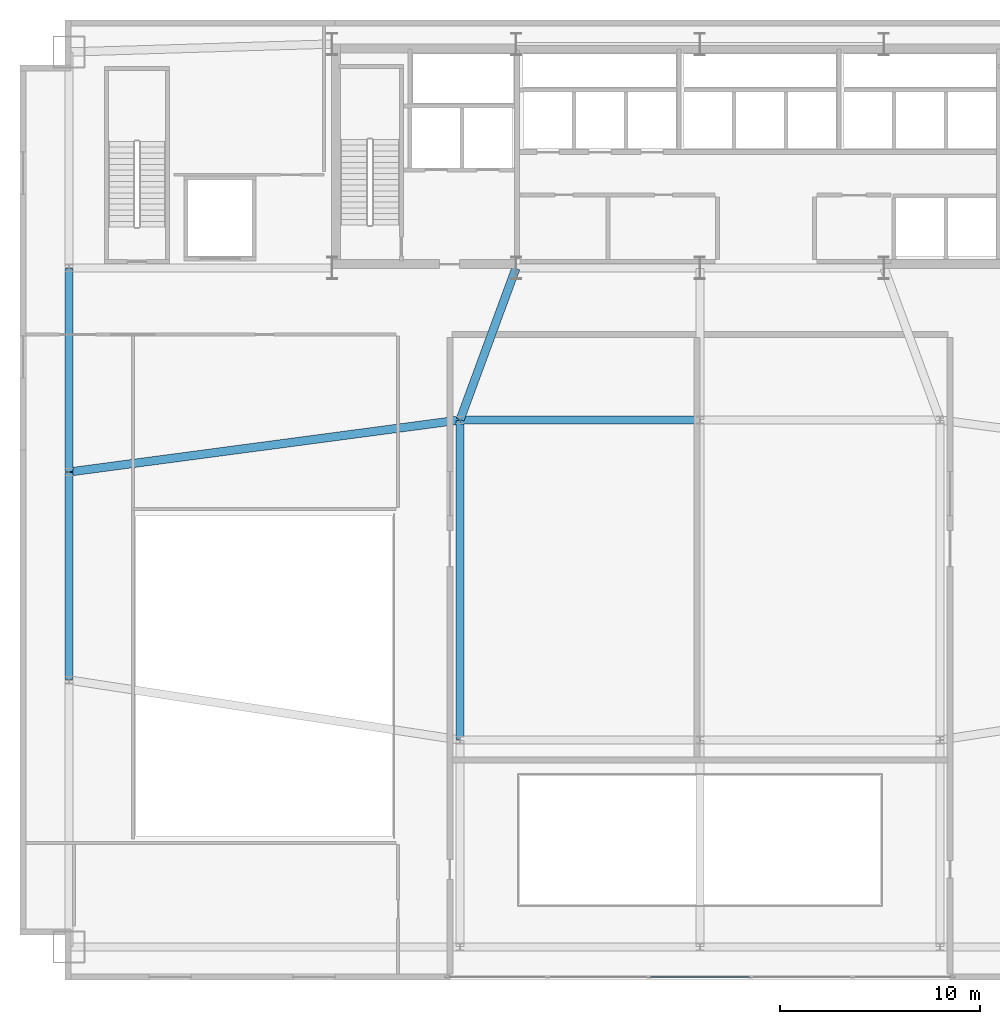
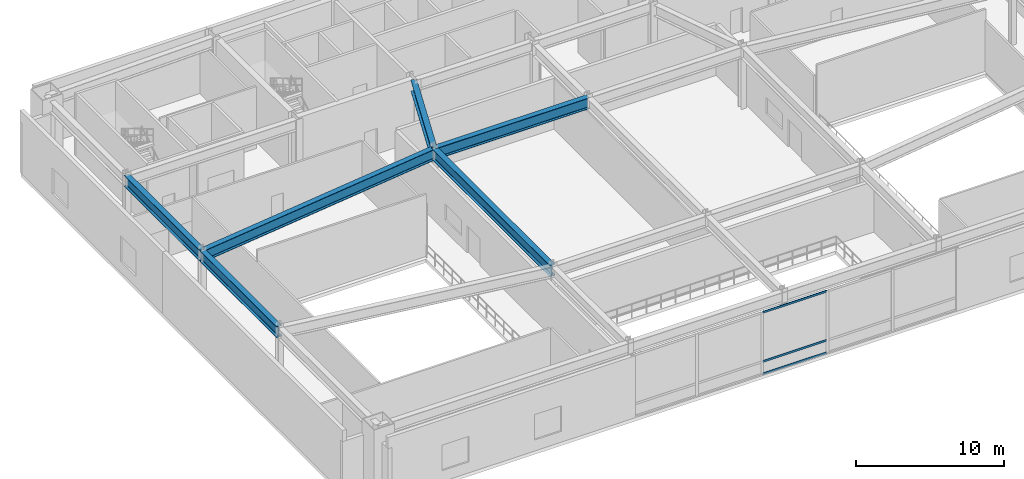
# One storey, part 5 of 13: 6 beams, 3 members, 1 element without a shape of its own.
"""IFC4 building model written with IfcOpenShell, lengths in metres."""

from ifc_helpers import new_model, si_unit, direction, frame, origin, origin_2d, place, context, subcontext, project, spatial, hollow_rectangle, i_section, extrude, source, transform, mapped, material, layer, layer_set, material_profile, profile_set, type_object, type_shapes, element, aggregate, save


model = new_model("IFC4")

# Units and contexts
model_context = context("Model", 3, precision=1e-05, world=origin(), true_north=direction((0.0, 1.0)))
body_context = subcontext(model_context, "Body", "Model", "MODEL_VIEW")
ifc_project = project(units=[si_unit("LENGTHUNIT", "METRE"), si_unit("AREAUNIT", "SQUARE_METRE"), si_unit("VOLUMEUNIT", "CUBIC_METRE"), si_unit("PLANEANGLEUNIT", "RADIAN"), si_unit("MASSUNIT", "GRAM", prefix="KILO")], contexts=[model_context])

# Site, building, storey
site_placement = place(None, origin())
site = spatial("IfcSite", under=ifc_project, at=site_placement, CompositionType="ELEMENT")
building_placement = place(site_placement, origin())
building = spatial("IfcBuilding", under=site, at=building_placement, Name="Varnel Quay Broadcast Tower", CompositionType="ELEMENT")
storey_placement = place(building_placement, frame((0.0, 0.0, 6.0)))
storey = spatial("IfcBuildingStorey", under=building, at=storey_placement, Name="L01", CompositionType="ELEMENT", Elevation=6.0)

# Beams
ifc_material_1 = material(Name="Structural Steel CSA G40.21 350W", Category="steel")
ifc_material_profile_1 = material_profile(ifc_material_1, i_section(OverallWidth=0.41796875, OverallDepth=0.912109375, WebThickness=0.019287109375, FlangeThickness=0.031982421875, FilletRadius=0.02197265625, at=origin_2d()), Name="W920X342")
ifc_profile_set_1 = profile_set([ifc_material_profile_1], Name="Structural Steel CSA G40.21 350W")
beam_type = type_object("IfcBeamType", Name="Girder_W920X342", PredefinedType="BEAM", material=ifc_profile_set_1)
shared_shape_1 = source(origin(), body_context, "Body", "SweptSolid", [
    extrude(i_section(OverallWidth=0.41796875, OverallDepth=0.912109375, WebThickness=0.019287109375, FlangeThickness=0.031982421875, FilletRadius=0.02197265625, at=origin_2d()), origin(), (0.0, 0.0, 1.0), 11.9599609375),
])
beam_1_placement = place(storey_placement, frame((22.02001953125, 28.0, 4.6640625), z_axis=(1.0, 0.0, 0.0), x_axis=(0.0, 1.0, 0.0)))
element("IfcBeam", 1, at=beam_1_placement, inside=storey, type_object=beam_type, Name="L01 Girder G-STC2", PredefinedType="BEAM", context=body_context, shape_type="MappedRepresentation", body=[
    mapped(shared_shape_1, transform((0.0, 0.0, 0.0), x_axis=(1.0, 0.0, 0.0), y_axis=(0.0, 1.0, 0.0), z_axis=(0.0, 0.0, 1.0), scale=1.0)),
])
shared_shape_2 = source(origin(), body_context, "Body", "SweptSolid", [
    extrude(i_section(OverallWidth=0.41796875, OverallDepth=0.912109375, WebThickness=0.019287109375, FlangeThickness=0.031982421875, FilletRadius=0.02197265625, at=origin_2d()), origin(), (0.0, 0.0, 1.0), 10.35986328125),
])
beam_2_placement = place(storey_placement, frame((2.449951171875, 15.02001953125, 4.6640625), z_axis=(0.0, 1.0, 0.0), x_axis=(-1.0, 0.0, 0.0)))
element("IfcBeam", 2, at=beam_2_placement, inside=storey, type_object=beam_type, Name="L01 Girder G-PW2", PredefinedType="BEAM", context=body_context, shape_type="MappedRepresentation", body=[
    mapped(shared_shape_2, transform((0.0, 0.0, 0.0), x_axis=(1.0, 0.0, 0.0), y_axis=(0.0, 1.0, 0.0), z_axis=(0.0, 0.0, 1.0), scale=1.0)),
])
shared_shape_3 = source(origin(), body_context, "Body", "SweptSolid", [
    extrude(i_section(OverallWidth=0.41796875, OverallDepth=0.912109375, WebThickness=0.019287109375, FlangeThickness=0.031982421875, FilletRadius=0.02197265625, at=origin_2d()), origin(), (0.0, 0.0, 1.0), 10.16015625),
])
beam_3_placement = place(storey_placement, frame((2.449951171875, 25.419921875, 4.6640625), z_axis=(0.0, 1.0, 0.0), x_axis=(-1.0, 0.0, 0.0)))
element("IfcBeam", 3, at=beam_3_placement, inside=storey, type_object=beam_type, Name="L01 Girder G-PW3", PredefinedType="BEAM", context=body_context, shape_type="MappedRepresentation", body=[
    mapped(shared_shape_3, transform((0.0, 0.0, 0.0), x_axis=(1.0, 0.0, 0.0), y_axis=(0.0, 1.0, 0.0), z_axis=(0.0, 0.0, 1.0), scale=1.0)),
])
shared_shape_4 = source(origin(), body_context, "Body", "SweptSolid", [
    extrude(i_section(OverallWidth=0.41796875, OverallDepth=0.912109375, WebThickness=0.019287109375, FlangeThickness=0.031982421875, FilletRadius=0.02197265625, at=origin_2d()), origin(), (0.0, 0.0, 1.0), 19.682373046875),
])
beam_4_placement = place(storey_placement, frame((2.4697265625, 25.402587890625, 4.6640625), z_axis=(0.991272261072, 0.131830589885, 0.0), x_axis=(-0.131830589885, 0.991272261072, 0.0)))
element("IfcBeam", 4, at=beam_4_placement, inside=storey, type_object=beam_type, Name="L01 Girder G-STA2", PredefinedType="BEAM", context=body_context, shape_type="MappedRepresentation", body=[
    mapped(shared_shape_4, transform((0.0, 0.0, 0.0), x_axis=(1.0, 0.0, 0.0), y_axis=(0.0, 1.0, 0.0), z_axis=(0.0, 0.0, 1.0), scale=1.0)),
])
shared_shape_5 = source(origin(), body_context, "Body", "SweptSolid", [
    extrude(i_section(OverallWidth=0.41796875, OverallDepth=0.912109375, WebThickness=0.019287109375, FlangeThickness=0.031982421875, FilletRadius=0.02197265625, at=origin_2d()), origin(), (0.0, 0.0, 1.0), 15.9599609375),
])
beam_5_placement = place(storey_placement, frame((22.0, 12.02001953125, 4.6640625), z_axis=(0.0, 1.0, 0.0), x_axis=(-1.0, 0.0, 0.0)))
element("IfcBeam", 5, at=beam_5_placement, inside=storey, type_object=beam_type, Name="L01 Girder G-M2", PredefinedType="BEAM", context=body_context, shape_type="MappedRepresentation", body=[
    mapped(shared_shape_5, transform((0.0, 0.0, 0.0), x_axis=(1.0, 0.0, 0.0), y_axis=(0.0, 1.0, 0.0), z_axis=(0.0, 0.0, 1.0), scale=1.0)),
])
shared_shape_6 = source(origin(), body_context, "Body", "SweptSolid", [
    extrude(i_section(OverallWidth=0.41796875, OverallDepth=0.912109375, WebThickness=0.019287109375, FlangeThickness=0.031982421875, FilletRadius=0.02197265625, at=origin_2d()), origin(), (0.0, 0.0, 1.0), 8.0595703125),
])
type_shapes(beam_type, [shared_shape_1, shared_shape_2, shared_shape_3, shared_shape_4, shared_shape_5, shared_shape_6])
beam_6_placement = place(storey_placement, frame((22.0068359375, 28.018798828125, 4.6640625), z_axis=(0.345726415607, 0.938335358788, 0.0), x_axis=(-0.938335358788, 0.345726415607, 0.0)))
element("IfcBeam", 6, at=beam_6_placement, inside=storey, type_object=beam_type, Name="L01 Girder G-C1", PredefinedType="BEAM", context=body_context, shape_type="MappedRepresentation", body=[
    mapped(shared_shape_6, transform((0.0, 0.0, 0.0), x_axis=(1.0, 0.0, 0.0), y_axis=(0.0, 1.0, 0.0), z_axis=(0.0, 0.0, 1.0), scale=1.0)),
])

# Curtain wall, members
ifc_material_2 = material(Name="Anodised Bronze Aluminium 6063-T6", Category="aluminium")
ifc_layer = layer(ifc_material_2, 0.18994140625, Name="Anodised Bronze Aluminium 6063-T6")
ifc_layer_set = layer_set([ifc_layer], Name="Anodised Bronze Aluminium 6063-T6")
curtain_wall_type = type_object("IfcCurtainWallType", Name="CW_PodiumForum", PredefinedType="NOTDEFINED", material=ifc_layer_set)
curtain_wall_placement = place(storey_placement, origin())
curtain_wall = element("IfcCurtainWall", 7, at=curtain_wall_placement, inside=storey, type_object=curtain_wall_type, Name="L01 Waterfront Forum Curtain Wall", PredefinedType="NOTDEFINED")
ifc_material_profile_2 = material_profile(ifc_material_2, hollow_rectangle(XDim=0.06494140625, YDim=0.1650390625, WallThickness=0.00341796875, at=origin_2d()), Name="ALU65X165X3.5")
ifc_profile_set_2 = profile_set([ifc_material_profile_2], Name="Anodised Bronze Aluminium 6063-T6")
member_type = type_object("IfcMemberType", Name="Tran_CWS-01", PredefinedType="USERDEFINED", material=ifc_profile_set_2)
shared_shape_7 = source(origin(), body_context, "Body", "SweptSolid", [
    extrude(hollow_rectangle(XDim=0.06494140625, YDim=0.1650390625, WallThickness=0.00341796875, at=origin_2d()), origin(), (0.0, 0.0, 1.0), 5.0048828125),
])
type_shapes(member_type, [shared_shape_7])
member_1_placement = place(storey_placement, frame((31.49755859375, 0.14990234375, 0.032470703125), z_axis=(1.0, 0.0, 0.0), x_axis=(0.0, 1.0, 0.0)))
member_1 = element("IfcMember", 8, at=member_1_placement, type_object=member_type, Name="CWS-01 transom 3.1", ObjectType="TRANSOM", PredefinedType="USERDEFINED", context=body_context, shape_type="MappedRepresentation", body=[
    mapped(shared_shape_7, transform((0.0, 0.0, 0.0), x_axis=(1.0, 0.0, 0.0), y_axis=(0.0, 1.0, 0.0), z_axis=(0.0, 0.0, 1.0), scale=1.0)),
])
member_2_placement = place(storey_placement, frame((31.49755859375, 0.14990234375, 1.050048828125), z_axis=(1.0, 0.0, 0.0), x_axis=(0.0, 1.0, 0.0)))
member_2 = element("IfcMember", 9, at=member_2_placement, type_object=member_type, Name="CWS-01 transom 3.2", ObjectType="TRANSOM", PredefinedType="USERDEFINED", context=body_context, shape_type="MappedRepresentation", body=[
    mapped(shared_shape_7, transform((0.0, 0.0, 0.0), x_axis=(1.0, 0.0, 0.0), y_axis=(0.0, 1.0, 0.0), z_axis=(0.0, 0.0, 1.0), scale=1.0)),
])
member_3_placement = place(storey_placement, frame((31.49755859375, 0.14990234375, 5.08740234375), z_axis=(1.0, 0.0, 0.0), x_axis=(0.0, 1.0, 0.0)))
member_3 = element("IfcMember", 10, at=member_3_placement, type_object=member_type, Name="CWS-01 transom 3.3", ObjectType="TRANSOM", PredefinedType="USERDEFINED", context=body_context, shape_type="MappedRepresentation", body=[
    mapped(shared_shape_7, transform((0.0, 0.0, 0.0), x_axis=(1.0, 0.0, 0.0), y_axis=(0.0, 1.0, 0.0), z_axis=(0.0, 0.0, 1.0), scale=1.0)),
])
aggregate(curtain_wall, [member_1, member_2, member_3])

save(model, "model.ifc")
